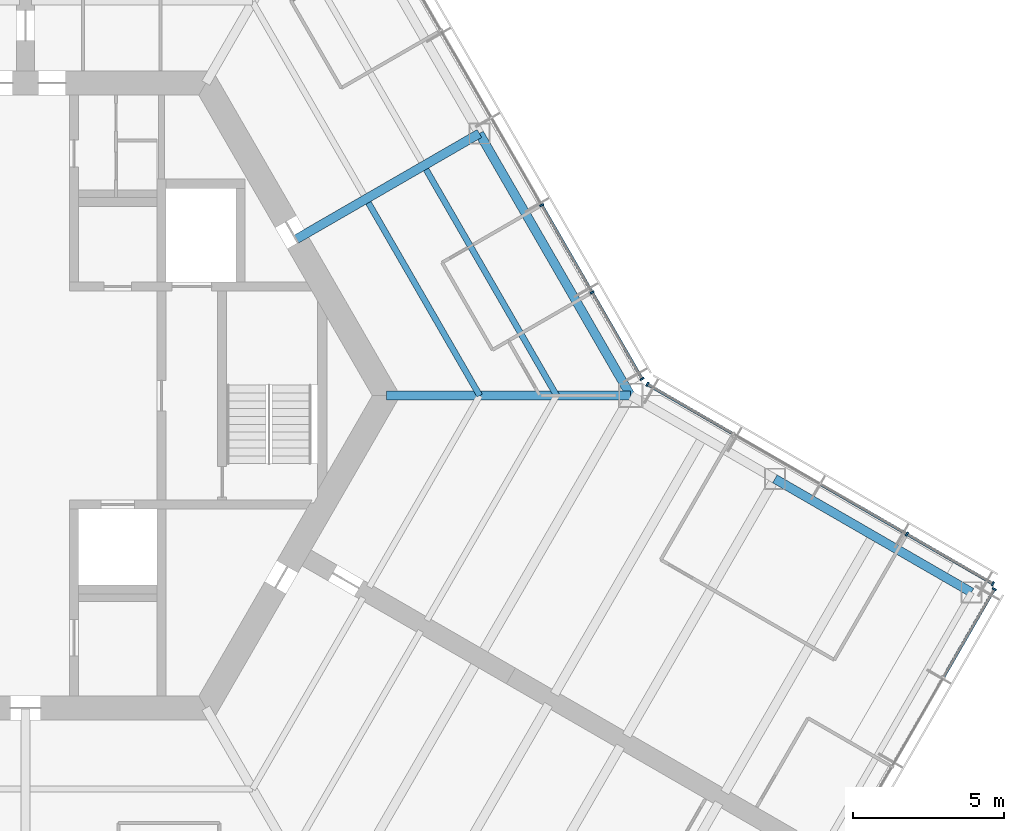
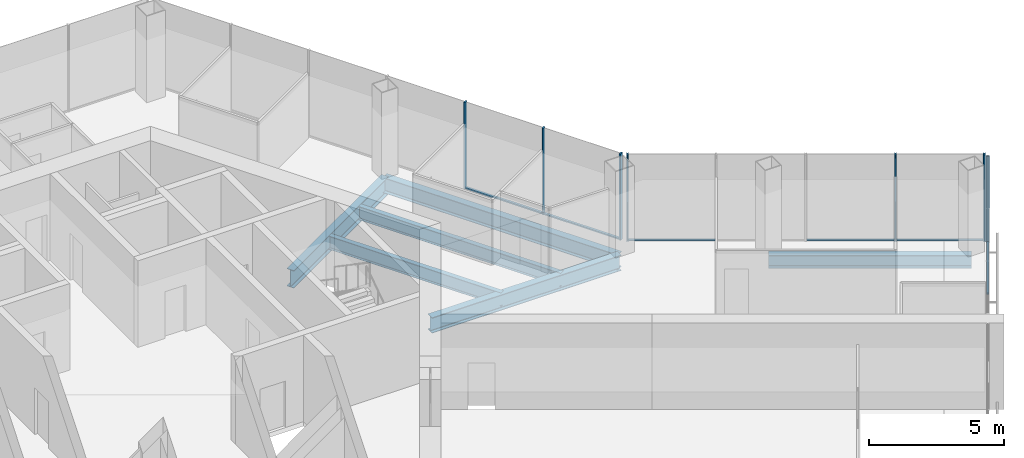
# One storey, part 5 of 16: 13 members, 6 beams, 3 elements without a shape of their own.
"""IFC4 building model written with IfcOpenShell, lengths in metres."""

from ifc_helpers import new_model, si_unit, direction, frame, origin, origin_2d, place, context, subcontext, project, spatial, rectangle, i_section, extrude, material, material_profile, profile_set, type_object, element, aggregate, save


model = new_model("IFC4")

# Units and contexts
model_context = context("Model", 3, precision=1e-05, world=origin(), true_north=direction((0.0, 1.0)))
body_context = subcontext(model_context, "Body", "Model", "MODEL_VIEW")
ifc_project = project(units=[si_unit("LENGTHUNIT", "METRE"), si_unit("AREAUNIT", "SQUARE_METRE"), si_unit("VOLUMEUNIT", "CUBIC_METRE"), si_unit("PLANEANGLEUNIT", "RADIAN"), si_unit("MASSUNIT", "GRAM", prefix="KILO")], contexts=[model_context])

# Site, building, storey
site_placement = place(None, origin())
site = spatial("IfcSite", under=ifc_project, at=site_placement, CompositionType="ELEMENT")
building_placement = place(site_placement, origin())
building = spatial("IfcBuilding", under=site, at=building_placement, Name="Kasaneha Research Tower", CompositionType="ELEMENT")
storey_placement = place(building_placement, frame((0.0, 0.0, 251.800048828125)))
storey = spatial("IfcBuildingStorey", under=building, at=storey_placement, Name="L63", CompositionType="ELEMENT", Elevation=251.800048828125)

# Beams
ifc_material_1 = material(Name="Steel SN490B", Category="steel")
ifc_material_profile_1 = material_profile(ifc_material_1, i_section(OverallWidth=0.199951171875, OverallDepth=0.60009765625, WebThickness=0.010986328125, FlangeThickness=0.01708984375, FilletRadius=0.012939453125, at=origin_2d()), Name="H-600x200x11x17")
ifc_profile_set_1 = profile_set([ifc_material_profile_1], Name="Steel SN490B")
beam_type_1 = type_object("IfcBeamType", Name="B1-3 secondary beam H-600x200x11x17", PredefinedType="JOIST", material=ifc_profile_set_1)
beam_1_placement = place(storey_placement, frame((15.010986328125, 0.0, -0.449951171875), z_axis=(-0.499994443168, 0.866028611999, 0.0), x_axis=(-0.866028611999, -0.499994443168, 0.0)))
element("IfcBeam", 1, at=beam_1_placement, inside=storey, type_object=beam_type_1, Name="Secondary beam RS030L1 L63", PredefinedType="JOIST", context=body_context, shape_type="SweptSolid", body=[
    extrude(i_section(OverallWidth=0.199951171875, OverallDepth=0.60009765625, WebThickness=0.010986328125, FlangeThickness=0.01708984375, FilletRadius=0.012939453125, at=origin_2d()), origin(), (0.0, 0.0, 1.0), 7.35546875),
])
beam_2_placement = place(storey_placement, frame((17.551513671875, 0.0, -0.449951171875), z_axis=(-0.5000050195, 0.866022505755, 0.0), x_axis=(-0.866022505755, -0.5000050195, 0.0)))
element("IfcBeam", 2, at=beam_2_placement, inside=storey, type_object=beam_type_1, Name="Secondary beam RS030L2 L63", PredefinedType="JOIST", context=body_context, shape_type="SweptSolid", body=[
    extrude(i_section(OverallWidth=0.199951171875, OverallDepth=0.60009765625, WebThickness=0.010986328125, FlangeThickness=0.01708984375, FilletRadius=0.012939453125, at=origin_2d()), origin(), (0.0, 0.0, 1.0), 8.6259765625),
])

# Curtain wall, members
ifc_material_2 = material(Name="Glass and aluminium", Category="aluminium")
curtain_wall_type = type_object("IfcCurtainWallType", Name="High-rise office curtain wall", PredefinedType="USERDEFINED", material=ifc_material_2)
curtain_wall_1_placement = place(storey_placement, origin())
curtain_wall_1 = element("IfcCurtainWall", 3, at=curtain_wall_1_placement, inside=storey, type_object=curtain_wall_type, Name="CW-O3 L63 run 01a", ObjectType="UNITISED CURTAIN WALL", PredefinedType="USERDEFINED")
ifc_material_3 = material(Name="Aluminium 6063-T6", Category="aluminium")
ifc_material_profile_2 = material_profile(ifc_material_3, rectangle(XDim=0.06005859375, YDim=0.139892578125, at=origin_2d()), Name="CW-O3 mullion 60x140")
ifc_profile_set_2 = profile_set([ifc_material_profile_2], Name="Aluminium 6063-T6")
member_type_1 = type_object("IfcMemberType", Name="CW-O3 mullion", PredefinedType="MULLION", material=ifc_profile_set_2)
member_1_placement = place(storey_placement, frame((20.374267578125, 0.5517578125, 0.0), z_axis=(0.0, 0.0, 1.0), x_axis=(-0.499999979232, 0.866025415775, 0.0)))
member_1 = element("IfcMember", 4, at=member_1_placement, type_object=member_type_1, Name="CW-O3 mullion 1", PredefinedType="MULLION", context=body_context, shape_type="SweptSolid", body=[
    extrude(rectangle(XDim=0.06005859375, YDim=0.139892578125, at=origin_2d()), origin(), (0.0, 0.0, 1.0), 3.89990234375),
])
member_2_placement = place(storey_placement, frame((18.723876953125, 3.410400390625, 0.0), z_axis=(0.0, 0.0, 1.0), x_axis=(-0.499999979232, 0.866025415775, 0.0)))
member_2 = element("IfcMember", 5, at=member_2_placement, type_object=member_type_1, Name="CW-O3 mullion 2", PredefinedType="MULLION", context=body_context, shape_type="SweptSolid", body=[
    extrude(rectangle(XDim=0.06005859375, YDim=0.139892578125, at=origin_2d()), origin(), (0.0, 0.0, 1.0), 3.89990234375),
])
member_3_placement = place(storey_placement, frame((17.058349609375, 6.295166015625, 0.0), z_axis=(0.0, 0.0, 1.0), x_axis=(-0.499999979232, 0.866025415775, 0.0)))
member_3 = element("IfcMember", 6, at=member_3_placement, type_object=member_type_1, Name="CW-O3 mullion 3", PredefinedType="MULLION", context=body_context, shape_type="SweptSolid", body=[
    extrude(rectangle(XDim=0.06005859375, YDim=0.139892578125, at=origin_2d()), origin(), (0.0, 0.0, 1.0), 3.89990234375),
])

# Curtain wall, member
curtain_wall_2_placement = place(storey_placement, origin())
curtain_wall_2 = element("IfcCurtainWall", 7, at=curtain_wall_2_placement, inside=storey, type_object=curtain_wall_type, Name="CW-O3 L63 run 08a", ObjectType="UNITISED CURTAIN WALL", PredefinedType="USERDEFINED")
member_4_placement = place(storey_placement, frame((32.012939453125, -6.39306640625, 0.0), z_axis=(0.0, 0.0, 1.0), x_axis=(0.500000011442, 0.866025397178, 0.0)))
member_4 = element("IfcMember", 8, at=member_4_placement, type_object=member_type_1, Name="CW-O3 mullion 4", PredefinedType="MULLION", context=body_context, shape_type="SweptSolid", body=[
    extrude(rectangle(XDim=0.06005859375, YDim=0.139892578125, at=origin_2d()), origin(), (0.0, 0.0, 1.0), 3.89990234375),
])

# Curtain wall, members
curtain_wall_3_placement = place(storey_placement, origin())
curtain_wall_3 = element("IfcCurtainWall", 9, at=curtain_wall_3_placement, inside=storey, type_object=curtain_wall_type, Name="CW-O3 L63 run 09a", ObjectType="UNITISED CURTAIN WALL", PredefinedType="USERDEFINED")
member_5_placement = place(storey_placement, frame((31.96533203125, -6.21533203125, 0.0), z_axis=(0.0, 0.0, 1.0), x_axis=(-0.866025411464, 0.499999986699, 0.0)))
member_5 = element("IfcMember", 10, at=member_5_placement, type_object=member_type_1, Name="CW-O3 mullion 1", PredefinedType="MULLION", context=body_context, shape_type="SweptSolid", body=[
    extrude(rectangle(XDim=0.06005859375, YDim=0.139892578125, at=origin_2d()), origin(), (0.0, 0.0, 1.0), 3.89990234375),
])
member_6_placement = place(storey_placement, frame((29.125, -4.575439453125, 0.0), z_axis=(0.0, 0.0, 1.0), x_axis=(-0.866025411464, 0.499999986699, 0.0)))
member_6 = element("IfcMember", 11, at=member_6_placement, type_object=member_type_1, Name="CW-O3 mullion 2", PredefinedType="MULLION", context=body_context, shape_type="SweptSolid", body=[
    extrude(rectangle(XDim=0.06005859375, YDim=0.139892578125, at=origin_2d()), origin(), (0.0, 0.0, 1.0), 3.89990234375),
])
member_7_placement = place(storey_placement, frame((20.5517578125, 0.374267578125, 0.0), z_axis=(0.0, 0.0, 1.0), x_axis=(-0.866025411464, 0.499999986699, 0.0)))
member_7 = element("IfcMember", 12, at=member_7_placement, type_object=member_type_1, Name="CW-O3 mullion 5", PredefinedType="MULLION", context=body_context, shape_type="SweptSolid", body=[
    extrude(rectangle(XDim=0.06005859375, YDim=0.139892578125, at=origin_2d()), origin(), (0.0, 0.0, 1.0), 3.89990234375),
])

# Member
ifc_material_4 = material(Name="Aluminium 6063-T6", Category="aluminium")
ifc_material_profile_3 = material_profile(ifc_material_4, rectangle(XDim=0.10009765625, YDim=0.06005859375, at=origin_2d()), Name="CW-O3 transom 100x60")
ifc_profile_set_3 = profile_set([ifc_material_profile_3], Name="Aluminium 6063-T6")
member_type_2 = type_object("IfcMemberType", Name="CW-O3 transom", PredefinedType="USERDEFINED", material=ifc_profile_set_3)
member_8_placement = place(storey_placement, frame((20.359130859375, 0.577880859375, 0.030029296875), z_axis=(-0.499987643696, 0.866032537582, 0.0), x_axis=(-0.866032537582, -0.499987643696, 0.0)))
member_8 = element("IfcMember", 13, at=member_8_placement, type_object=member_type_2, Name="CW-O3 transom 1", ObjectType="TRANSOM", PredefinedType="USERDEFINED", context=body_context, shape_type="SweptSolid", body=[
    extrude(rectangle(XDim=0.10009765625, YDim=0.06005859375, at=origin_2d()), origin(), (0.0, 0.0, 1.0), 3.24072265625),
])

member_9_placement = place(storey_placement, frame((18.708740234375, 3.4365234375, 0.030029296875), z_axis=(-0.500000270186, 0.866025247793, 0.0), x_axis=(-0.866025247793, -0.500000270186, 0.0)))
member_9 = element("IfcMember", 14, at=member_9_placement, type_object=member_type_2, Name="CW-O3 transom 2", ObjectType="TRANSOM", PredefinedType="USERDEFINED", context=body_context, shape_type="SweptSolid", body=[
    extrude(rectangle(XDim=0.10009765625, YDim=0.06005859375, at=origin_2d()), origin(), (0.0, 0.0, 1.0), 3.27099609375),
])

aggregate(curtain_wall_1, [member_1, member_2, member_3, member_8, member_9])

member_10_placement = place(storey_placement, frame((30.343017578125, -9.285400390625, 0.030029296875), z_axis=(0.500018282537, 0.866014848099, 0.0), x_axis=(-0.866014848099, 0.500018282537, 0.0)))
member_10 = element("IfcMember", 15, at=member_10_placement, type_object=member_type_2, Name="CW-O3 transom 3", ObjectType="TRANSOM", PredefinedType="USERDEFINED", context=body_context, shape_type="SweptSolid", body=[
    extrude(rectangle(XDim=0.10009765625, YDim=0.06005859375, at=origin_2d()), origin(), (0.0, 0.0, 1.0), 3.31005859375),
])

aggregate(curtain_wall_2, [member_4, member_10])

member_11_placement = place(storey_placement, frame((31.939453125, -6.200439453125, 0.030029296875), z_axis=(-0.866041647767, 0.499971863542, 0.0), x_axis=(-0.499971863542, -0.866041647767, 0.0)))
member_11 = element("IfcMember", 16, at=member_11_placement, type_object=member_type_2, Name="CW-O3 transom 1", ObjectType="TRANSOM", PredefinedType="USERDEFINED", context=body_context, shape_type="SweptSolid", body=[
    extrude(rectangle(XDim=0.10009765625, YDim=0.06005859375, at=origin_2d()), origin(), (0.0, 0.0, 1.0), 3.219970703125),
])

member_12_placement = place(storey_placement, frame((29.098876953125, -4.560546875, 0.030029296875), z_axis=(-0.86599666273, 0.500049777664, 0.0), x_axis=(-0.500049777664, -0.86599666273, 0.0)))
member_12 = element("IfcMember", 17, at=member_12_placement, type_object=member_type_2, Name="CW-O3 transom 2", ObjectType="TRANSOM", PredefinedType="USERDEFINED", context=body_context, shape_type="SweptSolid", body=[
    extrude(rectangle(XDim=0.10009765625, YDim=0.06005859375, at=origin_2d()), origin(), (0.0, 0.0, 1.0), 3.249755859375),
])

member_13_placement = place(storey_placement, frame((23.3662109375, -1.250732421875, 0.030029296875), z_axis=(-0.866022692473, 0.500004696101, 0.0), x_axis=(-0.500004696101, -0.866022692473, 0.0)))
member_13 = element("IfcMember", 18, at=member_13_placement, type_object=member_type_2, Name="CW-O3 transom 4", ObjectType="TRANSOM", PredefinedType="USERDEFINED", context=body_context, shape_type="SweptSolid", body=[
    extrude(rectangle(XDim=0.10009765625, YDim=0.06005859375, at=origin_2d()), origin(), (0.0, 0.0, 1.0), 3.2197265625),
])

aggregate(curtain_wall_3, [member_5, member_6, member_7, member_11, member_12, member_13])

# Beams
ifc_material_5 = material(Name="Steel SN490B", Category="steel")
ifc_material_profile_4 = material_profile(ifc_material_5, i_section(OverallWidth=0.300048828125, OverallDepth=0.699951171875, WebThickness=0.012939453125, FlangeThickness=0.02392578125, FilletRadius=0.01806640625, at=origin_2d()), Name="H-700x300x13x24")
ifc_profile_set_4 = profile_set([ifc_material_profile_4], Name="Steel SN490B")
beam_type_2 = type_object("IfcBeamType", Name="G1-3 radial girder H-700x300x13x24", PredefinedType="BEAM", material=ifc_profile_set_4)
beam_3_placement = place(storey_placement, frame((11.92236328125, 0.0, -0.5), z_axis=(1.0, 0.0, 0.0), x_axis=(0.0, 1.0, 0.0)))
element("IfcBeam", 19, at=beam_3_placement, inside=storey, type_object=beam_type_2, Name="Radial girder RV000 L63", PredefinedType="BEAM", context=body_context, shape_type="SweptSolid", body=[
    extrude(i_section(OverallWidth=0.300048828125, OverallDepth=0.699951171875, WebThickness=0.012939453125, FlangeThickness=0.02392578125, FilletRadius=0.01806640625, at=origin_2d()), origin(), (0.0, 0.0, 1.0), 8.07763671875),
])
ifc_material_6 = material(Name="Steel SN490B", Category="steel")
ifc_material_profile_5 = material_profile(ifc_material_6, i_section(OverallWidth=0.300048828125, OverallDepth=0.800048828125, WebThickness=0.013916015625, FlangeThickness=0.02587890625, FilletRadius=0.01806640625, at=origin_2d()), Name="H-800x300x14x26")
ifc_profile_set_5 = profile_set([ifc_material_profile_5], Name="Steel SN490B")
beam_type_3 = type_object("IfcBeamType", Name="G2-3 radial girder H-800x300x14x26", PredefinedType="BEAM", material=ifc_profile_set_5)
beam_4_placement = place(storey_placement, frame((8.941650390625, 5.16259765625, -0.550048828125), z_axis=(0.866039713508, 0.499975214012, 0.0), x_axis=(-0.499975214012, 0.866039713508, 0.0)))
element("IfcBeam", 20, at=beam_4_placement, inside=storey, type_object=beam_type_3, Name="Radial girder RM030 L63", PredefinedType="BEAM", context=body_context, shape_type="SweptSolid", body=[
    extrude(i_section(OverallWidth=0.300048828125, OverallDepth=0.800048828125, WebThickness=0.013916015625, FlangeThickness=0.02587890625, FilletRadius=0.01806640625, at=origin_2d()), origin(), (0.0, 0.0, 1.0), 6.995361328125),
])
ifc_material_7 = material(Name="Steel SN490B", Category="steel")
ifc_material_profile_6 = material_profile(ifc_material_7, i_section(OverallWidth=0.300048828125, OverallDepth=0.69189453125, WebThickness=0.012939453125, FlangeThickness=0.02001953125, FilletRadius=0.01806640625, at=origin_2d()), Name="H-692x300x13x20")
ifc_profile_set_6 = profile_set([ifc_material_profile_6], Name="Steel SN490B")
beam_type_4 = type_object("IfcBeamType", Name="SB1-3 spandrel beam H-692x300x13x20", PredefinedType="SPANDREL", material=ifc_profile_set_6)
beam_5_placement = place(storey_placement, frame((20.0, 0.0, -0.49609375), z_axis=(-0.500004234368, 0.866022959057, 0.0), x_axis=(-0.866022959057, -0.500004234368, 0.0)))
element("IfcBeam", 21, at=beam_5_placement, inside=storey, type_object=beam_type_4, Name="Spandrel beam SR030L L63", PredefinedType="SPANDREL", context=body_context, shape_type="SweptSolid", body=[
    extrude(i_section(OverallWidth=0.300048828125, OverallDepth=0.69189453125, WebThickness=0.012939453125, FlangeThickness=0.02001953125, FilletRadius=0.01806640625, at=origin_2d()), origin(), (0.0, 0.0, 1.0), 10.0),
])
ifc_material_8 = material(Name="Steel SN490B", Category="steel")
ifc_material_profile_7 = material_profile(ifc_material_8, i_section(OverallWidth=0.300048828125, OverallDepth=0.58203125, WebThickness=0.011962890625, FlangeThickness=0.01708984375, FilletRadius=0.012939453125, at=origin_2d()), Name="H-582x300x12x17")
ifc_profile_set_7 = profile_set([ifc_material_profile_7], Name="Steel SN490B")
beam_type_5 = type_object("IfcBeamType", Name="SB2-3 spandrel beam H-582x300x12x17", PredefinedType="SPANDREL", material=ifc_profile_set_7)
beam_6_placement = place(storey_placement, frame((24.76318359375, -2.75, -0.441162109375), z_axis=(0.866022959057, -0.500004234368, 0.0), x_axis=(0.500004234368, 0.866022959057, 0.0)))
element("IfcBeam", 22, at=beam_6_placement, inside=storey, type_object=beam_type_5, Name="Spandrel beam WSCN2 L63", PredefinedType="SPANDREL", context=body_context, shape_type="SweptSolid", body=[
    extrude(i_section(OverallWidth=0.300048828125, OverallDepth=0.58203125, WebThickness=0.011962890625, FlangeThickness=0.01708984375, FilletRadius=0.012939453125, at=origin_2d()), origin(), (0.0, 0.0, 1.0), 7.5),
])

save(model, "model.ifc")
